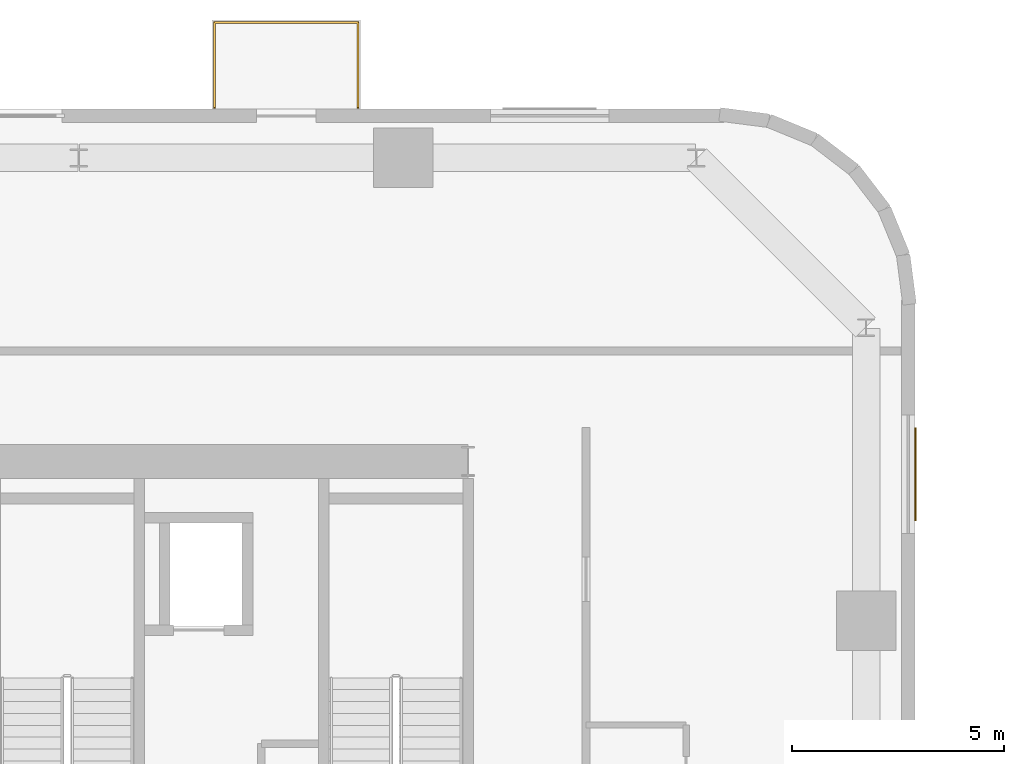
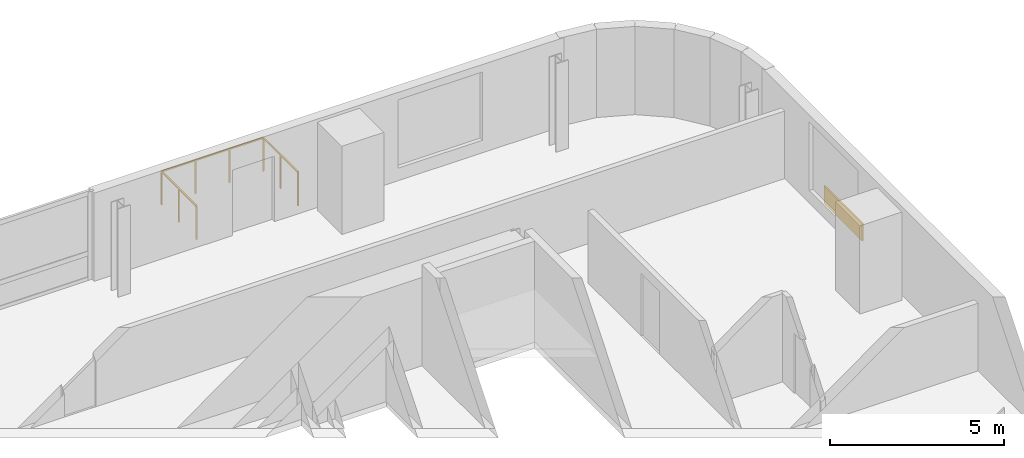
# One storey, part 13 of 13: 1 covering, 1 railing.
"""IFC4 building model written with IfcOpenShell, lengths in metres."""

import ifcopenshell
import ifcopenshell.guid

model = None  # the IFC model being written
_history = None  # IfcOwnerHistory: only IFC2X3 demands one
_inside = {}  # id of a spatial element -> (the spatial element, [elements in it])
_under = {}  # id of a project, library or spatial element -> (it, [spatial elements below it])
_declared = {}  # id of a project -> (the project, [libraries it declares])
_typed = {}  # id of a type object -> (the type object, [elements of that type])
_made_of = {}  # id of a material, layer set ... -> (it, [elements and type objects made of it])


def new_model(schema):
    """Start an empty IFC model of exactly this schema.

    Asked for "IFC4X3", IfcOpenShell would pick the latest addendum, in which some entities
    have other attributes; the version numbers below select the first issue.
    IFC2X3 requires an IfcOwnerHistory on every rooted entity: one is made here for all.
    """
    global model, _history
    if schema == "IFC4X3":
        model = ifcopenshell.file(schema_version=(4, 3, 0, 0))
    else:
        model = ifcopenshell.file(schema=schema)
    _inside.clear()
    _under.clear()
    _declared.clear()
    _typed.clear()
    _made_of.clear()
    _history = None
    if model.schema == "IFC2X3":
        org = make("IfcOrganization", Name="unknown")
        user = make(
            "IfcPersonAndOrganization",
            ThePerson=make("IfcPerson", FamilyName="unknown"),
            TheOrganization=org,
        )
        app = make(
            "IfcApplication",
            ApplicationDeveloper=org,
            Version="unknown",
            ApplicationFullName="unknown",
            ApplicationIdentifier="unknown",
        )
        _history = make(
            "IfcOwnerHistory",
            OwningUser=user,
            OwningApplication=app,
            ChangeAction="ADDED",
            CreationDate=0,
        )
    return model


def make(cls, **values):
    """One entity of the class cls with the attributes given. An attribute that is None is left unset."""
    return model.create_entity(
        cls, **{name: value for name, value in values.items() if value is not None}
    )


def rooted(cls, **values):
    """An entity with a GlobalId (a new one), such as an element, a storey or a relation."""
    return make(cls, GlobalId=ifcopenshell.guid.new(), OwnerHistory=_history, **values)


def si_unit(unit_type, name, prefix=None):
    """IfcSIUnit, for example si_unit("LENGTHUNIT", "METRE", prefix="MILLI")."""
    return make("IfcSIUnit", UnitType=unit_type, Prefix=prefix, Name=name)


def assignment(units):
    """IfcUnitAssignment: the units of a project."""
    return None if units is None else make("IfcUnitAssignment", Units=units)


def point(xyz):
    """IfcCartesianPoint."""
    return None if xyz is None else make("IfcCartesianPoint", Coordinates=xyz)


def direction(xyz):
    """IfcDirection."""
    return None if xyz is None else make("IfcDirection", DirectionRatios=xyz)


def frame(location, z_axis=None, x_axis=None):
    """IfcAxis2Placement3D, a coordinate frame: its origin and axes. An axis left out is left unset."""
    return make(
        "IfcAxis2Placement3D",
        Location=point(location),
        Axis=direction(z_axis),
        RefDirection=direction(x_axis),
    )


def frame_2d(location, x_axis=None):
    """IfcAxis2Placement2D, a coordinate frame in the plane: its origin and x axis."""
    return make(
        "IfcAxis2Placement2D", Location=point(location), RefDirection=direction(x_axis)
    )


def origin():
    """The frame at (0, 0, 0) with its axes left unset."""
    return frame((0.0, 0.0, 0.0))


def origin_2d():
    """The frame at (0, 0) in the plane with its x axis left unset."""
    return frame_2d((0.0, 0.0))


def place(relative_to, where):
    """IfcLocalPlacement: puts the frame where relative to a parent placement (None: the world)."""
    return make(
        "IfcLocalPlacement", PlacementRelTo=relative_to, RelativePlacement=where
    )


def context(
    kind, dimensions, precision=None, world=None, true_north=None, identifier=None
):
    """IfcGeometricRepresentationContext, for example the 3D "Model" context."""
    return make(
        "IfcGeometricRepresentationContext",
        ContextIdentifier=identifier,
        ContextType=kind,
        CoordinateSpaceDimension=dimensions,
        Precision=precision,
        WorldCoordinateSystem=world,
        TrueNorth=true_north,
    )


def subcontext(parent, identifier, kind, view, scale=None):
    """IfcGeometricRepresentationSubContext, for example "Body" below "Model"."""
    return make(
        "IfcGeometricRepresentationSubContext",
        ContextIdentifier=identifier,
        ContextType=kind,
        ParentContext=parent,
        TargetScale=scale,
        TargetView=view,
    )


def project(units=None, contexts=None):
    """IfcProject with its units and contexts."""
    return rooted(
        "IfcProject",
        Name="project",
        RepresentationContexts=contexts,
        UnitsInContext=assignment(units),
    )


def spatial(cls, under=None, at=None, **own):
    """A site, building, storey or space (cls), placed at a placement, below another one or the project."""
    s = rooted(cls, ObjectPlacement=at, **own)
    if under is not None:
        _under.setdefault(under.id(), (under, []))[1].append(s)
    return s


def profile(cls, at=None, kind="AREA", **sizes):
    """A parametric profile (cls). Its sizes go by their IFC names, for example OverallWidth=200.0."""
    return make(cls, ProfileType=kind, Position=at, **sizes)


def rectangle(**sizes):
    """IfcRectangleProfileDef."""
    return profile("IfcRectangleProfileDef", **sizes)


def extrude(swept, where, along, depth):
    """IfcExtrudedAreaSolid: the profile swept, set in the frame where, extruded along a direction by depth."""
    return make(
        "IfcExtrudedAreaSolid",
        SweptArea=swept,
        Position=where,
        ExtrudedDirection=direction(along),
        Depth=depth,
    )


def shape(context_of_items, identifier, shape_type, items):
    """IfcShapeRepresentation: the items that make up one representation, for example the "Body"."""
    return make(
        "IfcShapeRepresentation",
        ContextOfItems=context_of_items,
        RepresentationIdentifier=identifier,
        RepresentationType=shape_type,
        Items=items,
    )


def source(mapping_origin, context_of_items, identifier, shape_type, items):
    """IfcRepresentationMap: a shape defined once, which mapped items show again and again."""
    return make(
        "IfcRepresentationMap",
        MappingOrigin=mapping_origin,
        MappedRepresentation=shape(context_of_items, identifier, shape_type, items),
    )


def transform(
    local_origin,
    x_axis=None,
    y_axis=None,
    z_axis=None,
    scale=None,
    scale2=None,
    scale3=None,
    uniform=True,
):
    """IfcCartesianTransformationOperator3D, or its non-uniform kind. x_axis, y_axis, z_axis: its Axis1, 2, 3."""
    if uniform:
        return make(
            "IfcCartesianTransformationOperator3D",
            Axis1=direction(x_axis),
            Axis2=direction(y_axis),
            LocalOrigin=point(local_origin),
            Scale=scale,
            Axis3=direction(z_axis),
        )
    return make(
        "IfcCartesianTransformationOperator3DnonUniform",
        Axis1=direction(x_axis),
        Axis2=direction(y_axis),
        LocalOrigin=point(local_origin),
        Scale=scale,
        Axis3=direction(z_axis),
        Scale2=scale2,
        Scale3=scale3,
    )


def mapped(mapping_source, mapping_target):
    """IfcMappedItem: shows the shape of a source again, moved by a transform."""
    return make(
        "IfcMappedItem", MappingSource=mapping_source, MappingTarget=mapping_target
    )


def material(Name=None, Category=None):
    """IfcMaterial."""
    return make("IfcMaterial", Name=Name, Category=Category)


def layer(
    of_material, thickness, ventilated=None, Name=None, Category=None, Priority=None
):
    """IfcMaterialLayer: one layer of a wall or slab, of a material (None: an air gap)."""
    return make(
        "IfcMaterialLayer",
        Material=of_material,
        LayerThickness=thickness,
        IsVentilated=ventilated,
        Name=Name,
        Category=Category,
        Priority=Priority,
    )


def layer_set(layers, Name=None):
    """IfcMaterialLayerSet."""
    return make("IfcMaterialLayerSet", MaterialLayers=layers, LayerSetName=Name)


def made_of(thing, what):
    """Note that an element or type object is made of a material, layer set ...; save() writes the relation."""
    if what is not None:
        _made_of.setdefault(what.id(), (what, []))[1].append(thing)
    return thing


def type_object(cls, material=None, **own):
    """A type object (cls), such as IfcWallType, which elements share."""
    return made_of(rooted(cls, **own), material)


def element(
    cls,
    number,
    at=None,
    inside=None,
    cuts=None,
    type_object=None,
    material=None,
    context=None,
    identifier="Body",
    shape_type=None,
    held_by="IfcProductDefinitionShape",
    body=None,
    shapes=None,
    **own,
):
    """One element of the class cls, such as IfcWall. Its Tag is "e" and its number.

    at: its placement. inside: the storey or other place that contains it. cuts: it is an
    opening in that element (IfcRelVoidsElement). A single representation is given by context,
    identifier, shape_type and body (its items); several are given by shapes. held_by: the class
    of the entity that holds the representations. save() writes the other relations.
    """
    e = rooted(cls, Tag="e%d" % number, ObjectPlacement=at, **own)
    if body is not None:
        shapes = [shape(context, identifier, shape_type, body)]
    if shapes is not None:
        e.Representation = make(held_by, Representations=shapes)
    if inside is not None:
        _inside.setdefault(inside.id(), (inside, []))[1].append(e)
    if cuts is not None:
        rooted(
            "IfcRelVoidsElement", RelatingBuildingElement=cuts, RelatedOpeningElement=e
        )
    if type_object is not None:
        _typed.setdefault(type_object.id(), (type_object, []))[1].append(e)
    return made_of(e, material)


def aggregate(whole, parts):
    """IfcRelAggregates: a whole, such as a stair, and the parts it consists of."""
    return rooted("IfcRelAggregates", RelatingObject=whole, RelatedObjects=parts)


def save(model, path):
    """Write the relations noted so far, then the file.

    IfcRelAggregates (storeys below a building ...), IfcRelContainedInSpatialStructure (elements
    in a storey), IfcRelDefinesByType, IfcRelAssociatesMaterial and IfcRelDeclares: one each for
    every whole, place, type object, material and project.
    """
    for whole, parts in _under.values():
        aggregate(whole, parts)
    for where, things in _inside.values():
        rooted(
            "IfcRelContainedInSpatialStructure",
            RelatedElements=things,
            RelatingStructure=where,
        )
    for kind, things in _typed.values():
        rooted("IfcRelDefinesByType", RelatedObjects=things, RelatingType=kind)
    for what, things in _made_of.values():
        rooted("IfcRelAssociatesMaterial", RelatedObjects=things, RelatingMaterial=what)
    for by, libraries in _declared.values():
        rooted("IfcRelDeclares", RelatingContext=by, RelatedDefinitions=libraries)
    model.write(path)


model = new_model("IFC4")

# Units and contexts
model_context = context("Model", 3, precision=1e-05, world=origin(), true_north=direction((0.0, 1.0)))
body_context = subcontext(model_context, "Body", "Model", "MODEL_VIEW")
ifc_project = project(units=[si_unit("LENGTHUNIT", "METRE"), si_unit("AREAUNIT", "SQUARE_METRE"), si_unit("VOLUMEUNIT", "CUBIC_METRE"), si_unit("PLANEANGLEUNIT", "RADIAN"), si_unit("MASSUNIT", "GRAM", prefix="KILO")], contexts=[model_context])

# Site, building, storey
site_placement = place(None, origin())
site = spatial("IfcSite", under=ifc_project, at=site_placement, CompositionType="ELEMENT")
building_placement = place(site_placement, origin())
building = spatial("IfcBuilding", under=site, at=building_placement, Name="Vardaveli Station Tower", CompositionType="ELEMENT")
storey_placement = place(building_placement, frame((0.0, 0.0, 233.550048828125)))
storey = spatial("IfcBuildingStorey", under=building, at=storey_placement, Name="L60", CompositionType="ELEMENT", Elevation=233.550048828125)

# Covering
ifc_material_1 = material(Name="Ventilated honed travertine stone cladding", Category="masonry")
ifc_layer = layer(ifc_material_1, 0.044921875, Name="Ventilated honed travertine stone cladding")
ifc_layer_set = layer_set([ifc_layer], Name="Ventilated honed travertine stone cladding")
covering_type = type_object("IfcCoveringType", Name="COV-CLAD-TR45", PredefinedType="CLADDING", material=ifc_layer_set)
shared_shape_1 = source(origin(), body_context, "Body", "SweptSolid", [
    extrude(rectangle(XDim=2.199951171875, YDim=0.044921875, at=origin_2d()), origin(), (0.0, 0.0, 1.0), 0.6201171875),
])
covering_placement = place(storey_placement, frame((57.91455078125, 39.9951171875, 0.06982421875), z_axis=(0.0, 0.0, 1.0), x_axis=(0.0, 1.0, 0.0)))
element("IfcCovering", 1, at=covering_placement, inside=storey, type_object=covering_type, Name="CLD-TR-L60-E", PredefinedType="CLADDING", context=body_context, shape_type="MappedRepresentation", body=[
    mapped(shared_shape_1, transform((0.0, 0.0, 0.0), scale=1.0)),
])

# Railing
ifc_material_2 = material(Name="Laminated glass and stainless steel balustrade", Category="steel")
railing_type = type_object("IfcRailingType", Name="RL-BAL-1200", PredefinedType="BALUSTRADE", material=ifc_material_2)
shared_shape_2 = source(origin(), body_context, "Body", "SweptSolid", [
    extrude(rectangle(XDim=0.048095703125, YDim=0.048095703125, at=origin_2d()), frame((0.0, 0.0, 1.17578125), z_axis=(0.0, 1.0, 0.0), x_axis=(-1.0, 0.0, 0.0)), (0.0, 0.0, 1.0), 2.0),
    extrude(rectangle(XDim=0.048095703125, YDim=0.048095703125, at=origin_2d()), frame((0.0, 2.0, 1.17578125), z_axis=(1.0, 0.0, 0.0), x_axis=(0.0, 1.0, 0.0)), (0.0, 0.0, 1.0), 3.3798828125),
    extrude(rectangle(XDim=0.048095703125, YDim=0.048095703125, at=origin_2d()), frame((3.3798828125, 2.0, 1.17578125), z_axis=(0.0, -1.0, 0.0), x_axis=(1.0, 0.0, 0.0)), (0.0, 0.0, 1.0), 2.0),
    extrude(rectangle(XDim=0.0419921875, YDim=0.0419921875, at=origin_2d()), origin(), (0.0, 0.0, 1.0), 1.15185546875),
    extrude(rectangle(XDim=0.0419921875, YDim=0.0419921875, at=origin_2d()), frame((0.0, 1.0, 0.0)), (0.0, 0.0, 1.0), 1.15185546875),
    extrude(rectangle(XDim=0.0419921875, YDim=0.0419921875, at=origin_2d()), frame((0.0, 2.0, 0.0)), (0.0, 0.0, 1.0), 1.15185546875),
    extrude(rectangle(XDim=0.0419921875, YDim=0.0419921875, at=origin_2d()), frame((1.126708984375, 2.0, 0.0)), (0.0, 0.0, 1.0), 1.15185546875),
    extrude(rectangle(XDim=0.0419921875, YDim=0.0419921875, at=origin_2d()), frame((2.253173828125, 2.0, 0.0)), (0.0, 0.0, 1.0), 1.15185546875),
    extrude(rectangle(XDim=0.0419921875, YDim=0.0419921875, at=origin_2d()), frame((3.3798828125, 2.0, 0.0)), (0.0, 0.0, 1.0), 1.15185546875),
    extrude(rectangle(XDim=0.0419921875, YDim=0.0419921875, at=origin_2d()), frame((3.3798828125, 1.0, 0.0)), (0.0, 0.0, 1.0), 1.15185546875),
    extrude(rectangle(XDim=0.0419921875, YDim=0.0419921875, at=origin_2d()), frame((3.3798828125, 0.0, 0.0)), (0.0, 0.0, 1.0), 1.15185546875),
])
railing_placement = place(storey_placement, frame((41.399658203125, 48.639892578125, 0.0)))
element("IfcRailing", 2, at=railing_placement, inside=storey, type_object=railing_type, Name="RL-LOG-L60-02", PredefinedType="BALUSTRADE", context=body_context, shape_type="MappedRepresentation", body=[
    mapped(shared_shape_2, transform((0.0, 0.0, 0.0), scale=1.0)),
])

save(model, "model.ifc")
